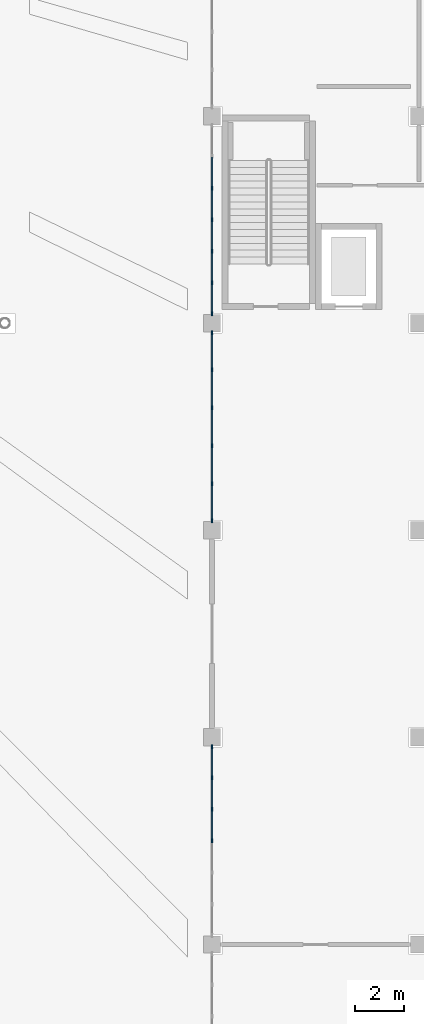
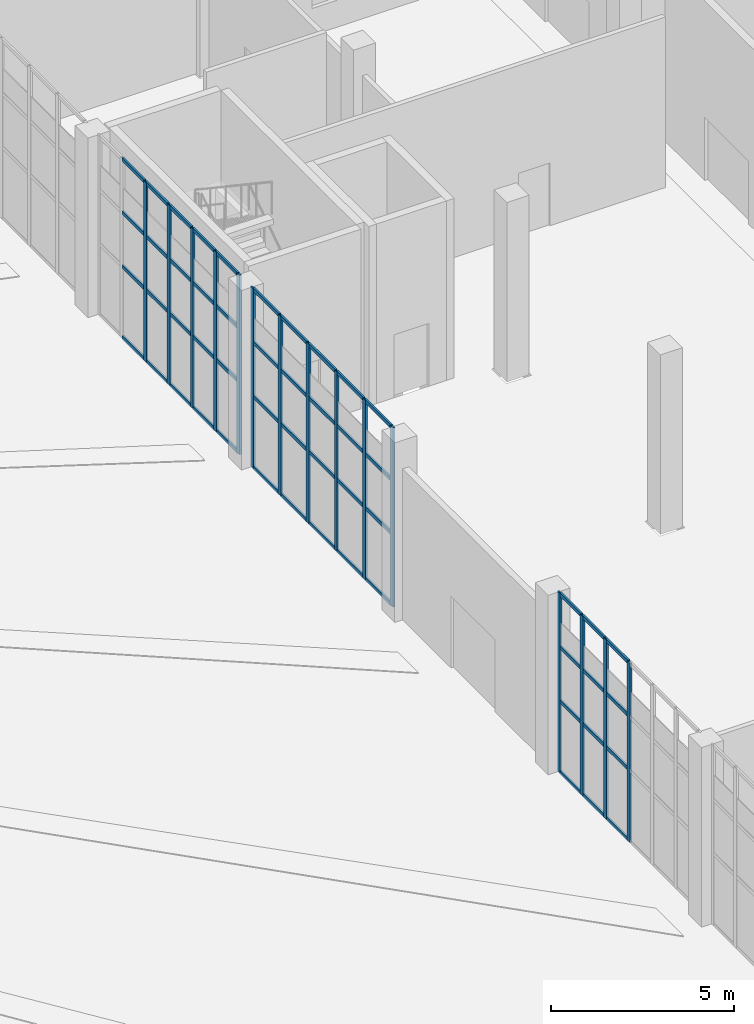
# One storey, part 45 of 210: 67 members, 3 elements without a shape of their own.
"""IFC4 building model written with IfcOpenShell, lengths in metres."""

from ifc_helpers import new_model, si_unit, direction, frame, origin, origin_2d, place, context, subcontext, project, spatial, rectangle, extrude, material, layer, layer_set, material_profile, profile_set, type_object, element, aggregate, save


model = new_model("IFC4")

# Units and contexts
model_context = context("Model", 3, precision=1e-05, world=origin(), true_north=direction((0.0, 1.0)))
body_context = subcontext(model_context, "Body", "Model", "MODEL_VIEW")
ifc_project = project(units=[si_unit("LENGTHUNIT", "METRE"), si_unit("AREAUNIT", "SQUARE_METRE"), si_unit("VOLUMEUNIT", "CUBIC_METRE"), si_unit("PLANEANGLEUNIT", "RADIAN"), si_unit("MASSUNIT", "GRAM", prefix="KILO")], contexts=[model_context])

# Site, building, storey
site_placement = place(None, origin())
site = spatial("IfcSite", under=ifc_project, at=site_placement, CompositionType="ELEMENT")
building_placement = place(site_placement, origin())
building = spatial("IfcBuilding", under=site, at=building_placement, Name="Rain Tree Exposition and Congress Centre", CompositionType="ELEMENT")
storey_placement = place(building_placement, origin())
storey = spatial("IfcBuildingStorey", under=building, at=storey_placement, Name="L00", CompositionType="ELEMENT", Elevation=0.0)

# Curtain wall, members
ifc_material_1 = material(Name="Aluminium", Category="aluminium")
ifc_layer = layer(ifc_material_1, 0.10009765625)
ifc_layer_set = layer_set([ifc_layer], Name="Aluminium")
curtain_wall_type = type_object("IfcCurtainWallType", Name="Curtain wall congress", PredefinedType="NOTDEFINED", material=ifc_layer_set)
curtain_wall_1_placement = place(storey_placement, origin())
curtain_wall_1 = element("IfcCurtainWall", 1, at=curtain_wall_1_placement, inside=storey, type_object=curtain_wall_type, Name="Foyer curtain wall L00 bay 3", PredefinedType="NOTDEFINED")
ifc_material_2 = material(Name="Aluminium", Category="aluminium")
ifc_material_profile_1 = material_profile(ifc_material_2, rectangle(XDim=0.06005859375, YDim=0.159912109375, at=origin_2d()), Name="AL 60x160")
ifc_profile_set_1 = profile_set([ifc_material_profile_1], Name="Aluminium")
member_type_1 = type_object("IfcMemberType", Name="Curtain wall mullion 60x160 congress", PredefinedType="MULLION", material=ifc_profile_set_1)
member_1_placement = place(storey_placement, frame((151.199951171875, 29.39990234375, 0.0), z_axis=(0.0, 0.0, 1.0), x_axis=(-1.0, 0.0, 0.0)))
member_1 = element("IfcMember", 2, at=member_1_placement, type_object=member_type_1, Name="CWG303 mullion 4", PredefinedType="MULLION", context=body_context, shape_type="SweptSolid", body=[
    extrude(rectangle(XDim=0.06005859375, YDim=0.159912109375, at=origin_2d()), origin(), (0.0, 0.0, 1.0), 6.0),
])
member_2_placement = place(storey_placement, frame((151.199951171875, 30.683349609375, 0.0), z_axis=(0.0, 0.0, 1.0), x_axis=(-1.0, 0.0, 0.0)))
member_2 = element("IfcMember", 3, at=member_2_placement, type_object=member_type_1, Name="CWG303 mullion 5", PredefinedType="MULLION", context=body_context, shape_type="SweptSolid", body=[
    extrude(rectangle(XDim=0.06005859375, YDim=0.159912109375, at=origin_2d()), origin(), (0.0, 0.0, 1.0), 6.0),
])
member_3_placement = place(storey_placement, frame((151.199951171875, 31.966552734375, 0.0), z_axis=(0.0, 0.0, 1.0), x_axis=(-1.0, 0.0, 0.0)))
member_3 = element("IfcMember", 4, at=member_3_placement, type_object=member_type_1, Name="CWG303 mullion 6", PredefinedType="MULLION", context=body_context, shape_type="SweptSolid", body=[
    extrude(rectangle(XDim=0.06005859375, YDim=0.159912109375, at=origin_2d()), origin(), (0.0, 0.0, 1.0), 6.0),
])
member_4_placement = place(storey_placement, frame((151.199951171875, 33.219970703125, 0.0), z_axis=(0.0, 0.0, 1.0), x_axis=(-1.0, 0.0, 0.0)))
member_4 = element("IfcMember", 5, at=member_4_placement, type_object=member_type_1, Name="CWG303 mullion 7", PredefinedType="MULLION", context=body_context, shape_type="SweptSolid", body=[
    extrude(rectangle(XDim=0.06005859375, YDim=0.159912109375, at=origin_2d()), origin(), (0.0, 0.0, 1.0), 6.0),
])

curtain_wall_2_placement = place(storey_placement, origin())
curtain_wall_2 = element("IfcCurtainWall", 6, at=curtain_wall_2_placement, inside=storey, type_object=curtain_wall_type, Name="Foyer curtain wall L00 bay 5", PredefinedType="NOTDEFINED")
member_5_placement = place(storey_placement, frame((151.199951171875, 42.3798828125, 0.0), z_axis=(0.0, 0.0, 1.0), x_axis=(-1.0, 0.0, 0.0)))
member_5 = element("IfcMember", 7, at=member_5_placement, type_object=member_type_1, Name="CWG305 mullion 1", PredefinedType="MULLION", context=body_context, shape_type="SweptSolid", body=[
    extrude(rectangle(XDim=0.06005859375, YDim=0.159912109375, at=origin_2d()), origin(), (0.0, 0.0, 1.0), 6.0),
])
member_6_placement = place(storey_placement, frame((151.199951171875, 43.889892578125, 0.0), z_axis=(0.0, 0.0, 1.0), x_axis=(-1.0, 0.0, 0.0)))
member_6 = element("IfcMember", 8, at=member_6_placement, type_object=member_type_1, Name="CWG305 mullion 2", PredefinedType="MULLION", context=body_context, shape_type="SweptSolid", body=[
    extrude(rectangle(XDim=0.06005859375, YDim=0.159912109375, at=origin_2d()), origin(), (0.0, 0.0, 1.0), 6.0),
])
member_7_placement = place(storey_placement, frame((151.199951171875, 45.429931640625, 0.0), z_axis=(0.0, 0.0, 1.0), x_axis=(-1.0, 0.0, 0.0)))
member_7 = element("IfcMember", 9, at=member_7_placement, type_object=member_type_1, Name="CWG305 mullion 3", PredefinedType="MULLION", context=body_context, shape_type="SweptSolid", body=[
    extrude(rectangle(XDim=0.06005859375, YDim=0.159912109375, at=origin_2d()), origin(), (0.0, 0.0, 1.0), 6.0),
])
member_8_placement = place(storey_placement, frame((151.199951171875, 46.969970703125, 0.0), z_axis=(0.0, 0.0, 1.0), x_axis=(-1.0, 0.0, 0.0)))
member_8 = element("IfcMember", 10, at=member_8_placement, type_object=member_type_1, Name="CWG305 mullion 4", PredefinedType="MULLION", context=body_context, shape_type="SweptSolid", body=[
    extrude(rectangle(XDim=0.06005859375, YDim=0.159912109375, at=origin_2d()), origin(), (0.0, 0.0, 1.0), 6.0),
])
member_9_placement = place(storey_placement, frame((151.199951171875, 48.510009765625, 0.0), z_axis=(0.0, 0.0, 1.0), x_axis=(-1.0, 0.0, 0.0)))
member_9 = element("IfcMember", 11, at=member_9_placement, type_object=member_type_1, Name="CWG305 mullion 5", PredefinedType="MULLION", context=body_context, shape_type="SweptSolid", body=[
    extrude(rectangle(XDim=0.06005859375, YDim=0.159912109375, at=origin_2d()), origin(), (0.0, 0.0, 1.0), 6.0),
])
member_10_placement = place(storey_placement, frame((151.199951171875, 50.02001953125, 0.0), z_axis=(0.0, 0.0, 1.0), x_axis=(-1.0, 0.0, 0.0)))
member_10 = element("IfcMember", 12, at=member_10_placement, type_object=member_type_1, Name="CWG305 mullion 6", PredefinedType="MULLION", context=body_context, shape_type="SweptSolid", body=[
    extrude(rectangle(XDim=0.06005859375, YDim=0.159912109375, at=origin_2d()), origin(), (0.0, 0.0, 1.0), 6.0),
])

curtain_wall_3_placement = place(storey_placement, origin())
curtain_wall_3 = element("IfcCurtainWall", 13, at=curtain_wall_3_placement, inside=storey, type_object=curtain_wall_type, Name="Foyer curtain wall L00 bay 6", PredefinedType="NOTDEFINED")
member_11_placement = place(storey_placement, frame((151.199951171875, 50.780029296875, 0.0), z_axis=(0.0, 0.0, 1.0), x_axis=(-1.0, 0.0, 0.0)))
member_11 = element("IfcMember", 14, at=member_11_placement, type_object=member_type_1, Name="CWG306 mullion 1", PredefinedType="MULLION", context=body_context, shape_type="SweptSolid", body=[
    extrude(rectangle(XDim=0.06005859375, YDim=0.159912109375, at=origin_2d()), origin(), (0.0, 0.0, 1.0), 6.0),
])
member_12_placement = place(storey_placement, frame((151.199951171875, 52.033447265625, 0.0), z_axis=(0.0, 0.0, 1.0), x_axis=(-1.0, 0.0, 0.0)))
member_12 = element("IfcMember", 15, at=member_12_placement, type_object=member_type_1, Name="CWG306 mullion 2", PredefinedType="MULLION", context=body_context, shape_type="SweptSolid", body=[
    extrude(rectangle(XDim=0.06005859375, YDim=0.159912109375, at=origin_2d()), origin(), (0.0, 0.0, 1.0), 6.0),
])
member_13_placement = place(storey_placement, frame((151.199951171875, 53.316650390625, 0.0), z_axis=(0.0, 0.0, 1.0), x_axis=(-1.0, 0.0, 0.0)))
member_13 = element("IfcMember", 16, at=member_13_placement, type_object=member_type_1, Name="CWG306 mullion 3", PredefinedType="MULLION", context=body_context, shape_type="SweptSolid", body=[
    extrude(rectangle(XDim=0.06005859375, YDim=0.159912109375, at=origin_2d()), origin(), (0.0, 0.0, 1.0), 6.0),
])
member_14_placement = place(storey_placement, frame((151.199951171875, 54.60009765625, 0.0), z_axis=(0.0, 0.0, 1.0), x_axis=(-1.0, 0.0, 0.0)))
member_14 = element("IfcMember", 17, at=member_14_placement, type_object=member_type_1, Name="CWG306 mullion 4", PredefinedType="MULLION", context=body_context, shape_type="SweptSolid", body=[
    extrude(rectangle(XDim=0.06005859375, YDim=0.159912109375, at=origin_2d()), origin(), (0.0, 0.0, 1.0), 6.0),
])
member_15_placement = place(storey_placement, frame((151.199951171875, 55.88330078125, 0.0), z_axis=(0.0, 0.0, 1.0), x_axis=(-1.0, 0.0, 0.0)))
member_15 = element("IfcMember", 18, at=member_15_placement, type_object=member_type_1, Name="CWG306 mullion 5", PredefinedType="MULLION", context=body_context, shape_type="SweptSolid", body=[
    extrude(rectangle(XDim=0.06005859375, YDim=0.159912109375, at=origin_2d()), origin(), (0.0, 0.0, 1.0), 6.0),
])

# Member
ifc_material_3 = material(Name="Aluminium", Category="aluminium")
ifc_material_profile_2 = material_profile(ifc_material_3, rectangle(XDim=0.06005859375, YDim=0.1201171875, at=origin_2d()), Name="AL 60x120")
ifc_profile_set_2 = profile_set([ifc_material_profile_2], Name="Aluminium")
member_type_2 = type_object("IfcMemberType", Name="Curtain wall transom 60x120 congress", PredefinedType="USERDEFINED", material=ifc_profile_set_2)
member_16_placement = place(storey_placement, frame((151.199951171875, 29.429931640625, 0.030029296875), z_axis=(0.0, 1.0, 0.0), x_axis=(-1.0, 0.0, 0.0)))
member_16 = element("IfcMember", 19, at=member_16_placement, type_object=member_type_2, Name="CWG303 transom 4.1", ObjectType="TRANSOM", PredefinedType="USERDEFINED", context=body_context, shape_type="SweptSolid", body=[
    extrude(rectangle(XDim=0.06005859375, YDim=0.1201171875, at=origin_2d()), origin(), (0.0, 0.0, 1.0), 1.223388671875),
])

member_17_placement = place(storey_placement, frame((151.199951171875, 29.429931640625, 2.39990234375), z_axis=(0.0, 1.0, 0.0), x_axis=(-1.0, 0.0, 0.0)))
member_17 = element("IfcMember", 20, at=member_17_placement, type_object=member_type_2, Name="CWG303 transom 4.2", ObjectType="TRANSOM", PredefinedType="USERDEFINED", context=body_context, shape_type="SweptSolid", body=[
    extrude(rectangle(XDim=0.06005859375, YDim=0.1201171875, at=origin_2d()), origin(), (0.0, 0.0, 1.0), 1.223388671875),
])

member_18_placement = place(storey_placement, frame((151.199951171875, 29.429931640625, 4.199951171875), z_axis=(0.0, 1.0, 0.0), x_axis=(-1.0, 0.0, 0.0)))
member_18 = element("IfcMember", 21, at=member_18_placement, type_object=member_type_2, Name="CWG303 transom 4.3", ObjectType="TRANSOM", PredefinedType="USERDEFINED", context=body_context, shape_type="SweptSolid", body=[
    extrude(rectangle(XDim=0.06005859375, YDim=0.1201171875, at=origin_2d()), origin(), (0.0, 0.0, 1.0), 1.223388671875),
])

member_19_placement = place(storey_placement, frame((151.199951171875, 29.429931640625, 5.969970703125), z_axis=(0.0, 1.0, 0.0), x_axis=(-1.0, 0.0, 0.0)))
member_19 = element("IfcMember", 22, at=member_19_placement, type_object=member_type_2, Name="CWG303 transom 4.4", ObjectType="TRANSOM", PredefinedType="USERDEFINED", context=body_context, shape_type="SweptSolid", body=[
    extrude(rectangle(XDim=0.06005859375, YDim=0.1201171875, at=origin_2d()), origin(), (0.0, 0.0, 1.0), 1.223388671875),
])

member_20_placement = place(storey_placement, frame((151.199951171875, 30.71337890625, 0.030029296875), z_axis=(0.0, 1.0, 0.0), x_axis=(-1.0, 0.0, 0.0)))
member_20 = element("IfcMember", 23, at=member_20_placement, type_object=member_type_2, Name="CWG303 transom 5.1", ObjectType="TRANSOM", PredefinedType="USERDEFINED", context=body_context, shape_type="SweptSolid", body=[
    extrude(rectangle(XDim=0.06005859375, YDim=0.1201171875, at=origin_2d()), origin(), (0.0, 0.0, 1.0), 1.223388671875),
])

member_21_placement = place(storey_placement, frame((151.199951171875, 30.71337890625, 2.39990234375), z_axis=(0.0, 1.0, 0.0), x_axis=(-1.0, 0.0, 0.0)))
member_21 = element("IfcMember", 24, at=member_21_placement, type_object=member_type_2, Name="CWG303 transom 5.2", ObjectType="TRANSOM", PredefinedType="USERDEFINED", context=body_context, shape_type="SweptSolid", body=[
    extrude(rectangle(XDim=0.06005859375, YDim=0.1201171875, at=origin_2d()), origin(), (0.0, 0.0, 1.0), 1.223388671875),
])

member_22_placement = place(storey_placement, frame((151.199951171875, 30.71337890625, 4.199951171875), z_axis=(0.0, 1.0, 0.0), x_axis=(-1.0, 0.0, 0.0)))
member_22 = element("IfcMember", 25, at=member_22_placement, type_object=member_type_2, Name="CWG303 transom 5.3", ObjectType="TRANSOM", PredefinedType="USERDEFINED", context=body_context, shape_type="SweptSolid", body=[
    extrude(rectangle(XDim=0.06005859375, YDim=0.1201171875, at=origin_2d()), origin(), (0.0, 0.0, 1.0), 1.223388671875),
])

member_23_placement = place(storey_placement, frame((151.199951171875, 30.71337890625, 5.969970703125), z_axis=(0.0, 1.0, 0.0), x_axis=(-1.0, 0.0, 0.0)))
member_23 = element("IfcMember", 26, at=member_23_placement, type_object=member_type_2, Name="CWG303 transom 5.4", ObjectType="TRANSOM", PredefinedType="USERDEFINED", context=body_context, shape_type="SweptSolid", body=[
    extrude(rectangle(XDim=0.06005859375, YDim=0.1201171875, at=origin_2d()), origin(), (0.0, 0.0, 1.0), 1.223388671875),
])

member_24_placement = place(storey_placement, frame((151.199951171875, 31.99658203125, 0.030029296875), z_axis=(0.0, 1.0, 0.0), x_axis=(-1.0, 0.0, 0.0)))
member_24 = element("IfcMember", 27, at=member_24_placement, type_object=member_type_2, Name="CWG303 transom 6.1", ObjectType="TRANSOM", PredefinedType="USERDEFINED", context=body_context, shape_type="SweptSolid", body=[
    extrude(rectangle(XDim=0.06005859375, YDim=0.1201171875, at=origin_2d()), origin(), (0.0, 0.0, 1.0), 1.193359375),
])

member_25_placement = place(storey_placement, frame((151.199951171875, 31.99658203125, 2.39990234375), z_axis=(0.0, 1.0, 0.0), x_axis=(-1.0, 0.0, 0.0)))
member_25 = element("IfcMember", 28, at=member_25_placement, type_object=member_type_2, Name="CWG303 transom 6.2", ObjectType="TRANSOM", PredefinedType="USERDEFINED", context=body_context, shape_type="SweptSolid", body=[
    extrude(rectangle(XDim=0.06005859375, YDim=0.1201171875, at=origin_2d()), origin(), (0.0, 0.0, 1.0), 1.193359375),
])

member_26_placement = place(storey_placement, frame((151.199951171875, 31.99658203125, 4.199951171875), z_axis=(0.0, 1.0, 0.0), x_axis=(-1.0, 0.0, 0.0)))
member_26 = element("IfcMember", 29, at=member_26_placement, type_object=member_type_2, Name="CWG303 transom 6.3", ObjectType="TRANSOM", PredefinedType="USERDEFINED", context=body_context, shape_type="SweptSolid", body=[
    extrude(rectangle(XDim=0.06005859375, YDim=0.1201171875, at=origin_2d()), origin(), (0.0, 0.0, 1.0), 1.193359375),
])

member_27_placement = place(storey_placement, frame((151.199951171875, 31.99658203125, 5.969970703125), z_axis=(0.0, 1.0, 0.0), x_axis=(-1.0, 0.0, 0.0)))
member_27 = element("IfcMember", 30, at=member_27_placement, type_object=member_type_2, Name="CWG303 transom 6.4", ObjectType="TRANSOM", PredefinedType="USERDEFINED", context=body_context, shape_type="SweptSolid", body=[
    extrude(rectangle(XDim=0.06005859375, YDim=0.1201171875, at=origin_2d()), origin(), (0.0, 0.0, 1.0), 1.193359375),
])

aggregate(curtain_wall_1, [member_1, member_2, member_3, member_4, member_16, member_17, member_18, member_19, member_20, member_21, member_22, member_23, member_24, member_25, member_26, member_27])

member_28_placement = place(storey_placement, frame((151.199951171875, 42.409912109375, 0.030029296875), z_axis=(0.0, 1.0, 0.0), x_axis=(-1.0, 0.0, 0.0)))
member_28 = element("IfcMember", 31, at=member_28_placement, type_object=member_type_2, Name="CWG305 transom 1.1", ObjectType="TRANSOM", PredefinedType="USERDEFINED", context=body_context, shape_type="SweptSolid", body=[
    extrude(rectangle(XDim=0.06005859375, YDim=0.1201171875, at=origin_2d()), origin(), (0.0, 0.0, 1.0), 1.4501953125),
])

member_29_placement = place(storey_placement, frame((151.199951171875, 42.409912109375, 2.39990234375), z_axis=(0.0, 1.0, 0.0), x_axis=(-1.0, 0.0, 0.0)))
member_29 = element("IfcMember", 32, at=member_29_placement, type_object=member_type_2, Name="CWG305 transom 1.2", ObjectType="TRANSOM", PredefinedType="USERDEFINED", context=body_context, shape_type="SweptSolid", body=[
    extrude(rectangle(XDim=0.06005859375, YDim=0.1201171875, at=origin_2d()), origin(), (0.0, 0.0, 1.0), 1.4501953125),
])

member_30_placement = place(storey_placement, frame((151.199951171875, 42.409912109375, 4.199951171875), z_axis=(0.0, 1.0, 0.0), x_axis=(-1.0, 0.0, 0.0)))
member_30 = element("IfcMember", 33, at=member_30_placement, type_object=member_type_2, Name="CWG305 transom 1.3", ObjectType="TRANSOM", PredefinedType="USERDEFINED", context=body_context, shape_type="SweptSolid", body=[
    extrude(rectangle(XDim=0.06005859375, YDim=0.1201171875, at=origin_2d()), origin(), (0.0, 0.0, 1.0), 1.4501953125),
])

member_31_placement = place(storey_placement, frame((151.199951171875, 42.409912109375, 5.969970703125), z_axis=(0.0, 1.0, 0.0), x_axis=(-1.0, 0.0, 0.0)))
member_31 = element("IfcMember", 34, at=member_31_placement, type_object=member_type_2, Name="CWG305 transom 1.4", ObjectType="TRANSOM", PredefinedType="USERDEFINED", context=body_context, shape_type="SweptSolid", body=[
    extrude(rectangle(XDim=0.06005859375, YDim=0.1201171875, at=origin_2d()), origin(), (0.0, 0.0, 1.0), 1.4501953125),
])

member_32_placement = place(storey_placement, frame((151.199951171875, 43.919921875, 0.030029296875), z_axis=(0.0, 1.0, 0.0), x_axis=(-1.0, 0.0, 0.0)))
member_32 = element("IfcMember", 35, at=member_32_placement, type_object=member_type_2, Name="CWG305 transom 2.1", ObjectType="TRANSOM", PredefinedType="USERDEFINED", context=body_context, shape_type="SweptSolid", body=[
    extrude(rectangle(XDim=0.06005859375, YDim=0.1201171875, at=origin_2d()), origin(), (0.0, 0.0, 1.0), 1.47998046875),
])

member_33_placement = place(storey_placement, frame((151.199951171875, 43.919921875, 2.39990234375), z_axis=(0.0, 1.0, 0.0), x_axis=(-1.0, 0.0, 0.0)))
member_33 = element("IfcMember", 36, at=member_33_placement, type_object=member_type_2, Name="CWG305 transom 2.2", ObjectType="TRANSOM", PredefinedType="USERDEFINED", context=body_context, shape_type="SweptSolid", body=[
    extrude(rectangle(XDim=0.06005859375, YDim=0.1201171875, at=origin_2d()), origin(), (0.0, 0.0, 1.0), 1.47998046875),
])

member_34_placement = place(storey_placement, frame((151.199951171875, 43.919921875, 4.199951171875), z_axis=(0.0, 1.0, 0.0), x_axis=(-1.0, 0.0, 0.0)))
member_34 = element("IfcMember", 37, at=member_34_placement, type_object=member_type_2, Name="CWG305 transom 2.3", ObjectType="TRANSOM", PredefinedType="USERDEFINED", context=body_context, shape_type="SweptSolid", body=[
    extrude(rectangle(XDim=0.06005859375, YDim=0.1201171875, at=origin_2d()), origin(), (0.0, 0.0, 1.0), 1.47998046875),
])

member_35_placement = place(storey_placement, frame((151.199951171875, 43.919921875, 5.969970703125), z_axis=(0.0, 1.0, 0.0), x_axis=(-1.0, 0.0, 0.0)))
member_35 = element("IfcMember", 38, at=member_35_placement, type_object=member_type_2, Name="CWG305 transom 2.4", ObjectType="TRANSOM", PredefinedType="USERDEFINED", context=body_context, shape_type="SweptSolid", body=[
    extrude(rectangle(XDim=0.06005859375, YDim=0.1201171875, at=origin_2d()), origin(), (0.0, 0.0, 1.0), 1.47998046875),
])

member_36_placement = place(storey_placement, frame((151.199951171875, 45.4599609375, 0.030029296875), z_axis=(0.0, 1.0, 0.0), x_axis=(-1.0, 0.0, 0.0)))
member_36 = element("IfcMember", 39, at=member_36_placement, type_object=member_type_2, Name="CWG305 transom 3.1", ObjectType="TRANSOM", PredefinedType="USERDEFINED", context=body_context, shape_type="SweptSolid", body=[
    extrude(rectangle(XDim=0.06005859375, YDim=0.1201171875, at=origin_2d()), origin(), (0.0, 0.0, 1.0), 1.47998046875),
])

member_37_placement = place(storey_placement, frame((151.199951171875, 45.4599609375, 2.39990234375), z_axis=(0.0, 1.0, 0.0), x_axis=(-1.0, 0.0, 0.0)))
member_37 = element("IfcMember", 40, at=member_37_placement, type_object=member_type_2, Name="CWG305 transom 3.2", ObjectType="TRANSOM", PredefinedType="USERDEFINED", context=body_context, shape_type="SweptSolid", body=[
    extrude(rectangle(XDim=0.06005859375, YDim=0.1201171875, at=origin_2d()), origin(), (0.0, 0.0, 1.0), 1.47998046875),
])

member_38_placement = place(storey_placement, frame((151.199951171875, 45.4599609375, 4.199951171875), z_axis=(0.0, 1.0, 0.0), x_axis=(-1.0, 0.0, 0.0)))
member_38 = element("IfcMember", 41, at=member_38_placement, type_object=member_type_2, Name="CWG305 transom 3.3", ObjectType="TRANSOM", PredefinedType="USERDEFINED", context=body_context, shape_type="SweptSolid", body=[
    extrude(rectangle(XDim=0.06005859375, YDim=0.1201171875, at=origin_2d()), origin(), (0.0, 0.0, 1.0), 1.47998046875),
])

member_39_placement = place(storey_placement, frame((151.199951171875, 45.4599609375, 5.969970703125), z_axis=(0.0, 1.0, 0.0), x_axis=(-1.0, 0.0, 0.0)))
member_39 = element("IfcMember", 42, at=member_39_placement, type_object=member_type_2, Name="CWG305 transom 3.4", ObjectType="TRANSOM", PredefinedType="USERDEFINED", context=body_context, shape_type="SweptSolid", body=[
    extrude(rectangle(XDim=0.06005859375, YDim=0.1201171875, at=origin_2d()), origin(), (0.0, 0.0, 1.0), 1.47998046875),
])

member_40_placement = place(storey_placement, frame((151.199951171875, 47.0, 0.030029296875), z_axis=(0.0, 1.0, 0.0), x_axis=(-1.0, 0.0, 0.0)))
member_40 = element("IfcMember", 43, at=member_40_placement, type_object=member_type_2, Name="CWG305 transom 4.1", ObjectType="TRANSOM", PredefinedType="USERDEFINED", context=body_context, shape_type="SweptSolid", body=[
    extrude(rectangle(XDim=0.06005859375, YDim=0.1201171875, at=origin_2d()), origin(), (0.0, 0.0, 1.0), 1.47998046875),
])

member_41_placement = place(storey_placement, frame((151.199951171875, 47.0, 2.39990234375), z_axis=(0.0, 1.0, 0.0), x_axis=(-1.0, 0.0, 0.0)))
member_41 = element("IfcMember", 44, at=member_41_placement, type_object=member_type_2, Name="CWG305 transom 4.2", ObjectType="TRANSOM", PredefinedType="USERDEFINED", context=body_context, shape_type="SweptSolid", body=[
    extrude(rectangle(XDim=0.06005859375, YDim=0.1201171875, at=origin_2d()), origin(), (0.0, 0.0, 1.0), 1.47998046875),
])

member_42_placement = place(storey_placement, frame((151.199951171875, 47.0, 4.199951171875), z_axis=(0.0, 1.0, 0.0), x_axis=(-1.0, 0.0, 0.0)))
member_42 = element("IfcMember", 45, at=member_42_placement, type_object=member_type_2, Name="CWG305 transom 4.3", ObjectType="TRANSOM", PredefinedType="USERDEFINED", context=body_context, shape_type="SweptSolid", body=[
    extrude(rectangle(XDim=0.06005859375, YDim=0.1201171875, at=origin_2d()), origin(), (0.0, 0.0, 1.0), 1.47998046875),
])

member_43_placement = place(storey_placement, frame((151.199951171875, 47.0, 5.969970703125), z_axis=(0.0, 1.0, 0.0), x_axis=(-1.0, 0.0, 0.0)))
member_43 = element("IfcMember", 46, at=member_43_placement, type_object=member_type_2, Name="CWG305 transom 4.4", ObjectType="TRANSOM", PredefinedType="USERDEFINED", context=body_context, shape_type="SweptSolid", body=[
    extrude(rectangle(XDim=0.06005859375, YDim=0.1201171875, at=origin_2d()), origin(), (0.0, 0.0, 1.0), 1.47998046875),
])

member_44_placement = place(storey_placement, frame((151.199951171875, 48.5400390625, 0.030029296875), z_axis=(0.0, 1.0, 0.0), x_axis=(-1.0, 0.0, 0.0)))
member_44 = element("IfcMember", 47, at=member_44_placement, type_object=member_type_2, Name="CWG305 transom 5.1", ObjectType="TRANSOM", PredefinedType="USERDEFINED", context=body_context, shape_type="SweptSolid", body=[
    extrude(rectangle(XDim=0.06005859375, YDim=0.1201171875, at=origin_2d()), origin(), (0.0, 0.0, 1.0), 1.449951171875),
])

member_45_placement = place(storey_placement, frame((151.199951171875, 48.5400390625, 2.39990234375), z_axis=(0.0, 1.0, 0.0), x_axis=(-1.0, 0.0, 0.0)))
member_45 = element("IfcMember", 48, at=member_45_placement, type_object=member_type_2, Name="CWG305 transom 5.2", ObjectType="TRANSOM", PredefinedType="USERDEFINED", context=body_context, shape_type="SweptSolid", body=[
    extrude(rectangle(XDim=0.06005859375, YDim=0.1201171875, at=origin_2d()), origin(), (0.0, 0.0, 1.0), 1.449951171875),
])

member_46_placement = place(storey_placement, frame((151.199951171875, 48.5400390625, 4.199951171875), z_axis=(0.0, 1.0, 0.0), x_axis=(-1.0, 0.0, 0.0)))
member_46 = element("IfcMember", 49, at=member_46_placement, type_object=member_type_2, Name="CWG305 transom 5.3", ObjectType="TRANSOM", PredefinedType="USERDEFINED", context=body_context, shape_type="SweptSolid", body=[
    extrude(rectangle(XDim=0.06005859375, YDim=0.1201171875, at=origin_2d()), origin(), (0.0, 0.0, 1.0), 1.449951171875),
])

member_47_placement = place(storey_placement, frame((151.199951171875, 48.5400390625, 5.969970703125), z_axis=(0.0, 1.0, 0.0), x_axis=(-1.0, 0.0, 0.0)))
member_47 = element("IfcMember", 50, at=member_47_placement, type_object=member_type_2, Name="CWG305 transom 5.4", ObjectType="TRANSOM", PredefinedType="USERDEFINED", context=body_context, shape_type="SweptSolid", body=[
    extrude(rectangle(XDim=0.06005859375, YDim=0.1201171875, at=origin_2d()), origin(), (0.0, 0.0, 1.0), 1.449951171875),
])

aggregate(curtain_wall_2, [member_5, member_6, member_7, member_8, member_9, member_10, member_28, member_29, member_30, member_31, member_32, member_33, member_34, member_35, member_36, member_37, member_38, member_39, member_40, member_41, member_42, member_43, member_44, member_45, member_46, member_47])

member_48_placement = place(storey_placement, frame((151.199951171875, 50.81005859375, 0.030029296875), z_axis=(0.0, 1.0, 0.0), x_axis=(-1.0, 0.0, 0.0)))
member_48 = element("IfcMember", 51, at=member_48_placement, type_object=member_type_2, Name="CWG306 transom 1.1", ObjectType="TRANSOM", PredefinedType="USERDEFINED", context=body_context, shape_type="SweptSolid", body=[
    extrude(rectangle(XDim=0.06005859375, YDim=0.1201171875, at=origin_2d()), origin(), (0.0, 0.0, 1.0), 1.193359375),
])

member_49_placement = place(storey_placement, frame((151.199951171875, 50.81005859375, 2.39990234375), z_axis=(0.0, 1.0, 0.0), x_axis=(-1.0, 0.0, 0.0)))
member_49 = element("IfcMember", 52, at=member_49_placement, type_object=member_type_2, Name="CWG306 transom 1.2", ObjectType="TRANSOM", PredefinedType="USERDEFINED", context=body_context, shape_type="SweptSolid", body=[
    extrude(rectangle(XDim=0.06005859375, YDim=0.1201171875, at=origin_2d()), origin(), (0.0, 0.0, 1.0), 1.193359375),
])

member_50_placement = place(storey_placement, frame((151.199951171875, 50.81005859375, 4.199951171875), z_axis=(0.0, 1.0, 0.0), x_axis=(-1.0, 0.0, 0.0)))
member_50 = element("IfcMember", 53, at=member_50_placement, type_object=member_type_2, Name="CWG306 transom 1.3", ObjectType="TRANSOM", PredefinedType="USERDEFINED", context=body_context, shape_type="SweptSolid", body=[
    extrude(rectangle(XDim=0.06005859375, YDim=0.1201171875, at=origin_2d()), origin(), (0.0, 0.0, 1.0), 1.193359375),
])

member_51_placement = place(storey_placement, frame((151.199951171875, 50.81005859375, 5.969970703125), z_axis=(0.0, 1.0, 0.0), x_axis=(-1.0, 0.0, 0.0)))
member_51 = element("IfcMember", 54, at=member_51_placement, type_object=member_type_2, Name="CWG306 transom 1.4", ObjectType="TRANSOM", PredefinedType="USERDEFINED", context=body_context, shape_type="SweptSolid", body=[
    extrude(rectangle(XDim=0.06005859375, YDim=0.1201171875, at=origin_2d()), origin(), (0.0, 0.0, 1.0), 1.193359375),
])

member_52_placement = place(storey_placement, frame((151.199951171875, 52.063232421875, 0.030029296875), z_axis=(0.0, 1.0, 0.0), x_axis=(-1.0, 0.0, 0.0)))
member_52 = element("IfcMember", 55, at=member_52_placement, type_object=member_type_2, Name="CWG306 transom 2.1", ObjectType="TRANSOM", PredefinedType="USERDEFINED", context=body_context, shape_type="SweptSolid", body=[
    extrude(rectangle(XDim=0.06005859375, YDim=0.1201171875, at=origin_2d()), origin(), (0.0, 0.0, 1.0), 1.223388671875),
])

member_53_placement = place(storey_placement, frame((151.199951171875, 52.063232421875, 2.39990234375), z_axis=(0.0, 1.0, 0.0), x_axis=(-1.0, 0.0, 0.0)))
member_53 = element("IfcMember", 56, at=member_53_placement, type_object=member_type_2, Name="CWG306 transom 2.2", ObjectType="TRANSOM", PredefinedType="USERDEFINED", context=body_context, shape_type="SweptSolid", body=[
    extrude(rectangle(XDim=0.06005859375, YDim=0.1201171875, at=origin_2d()), origin(), (0.0, 0.0, 1.0), 1.223388671875),
])

member_54_placement = place(storey_placement, frame((151.199951171875, 52.063232421875, 4.199951171875), z_axis=(0.0, 1.0, 0.0), x_axis=(-1.0, 0.0, 0.0)))
member_54 = element("IfcMember", 57, at=member_54_placement, type_object=member_type_2, Name="CWG306 transom 2.3", ObjectType="TRANSOM", PredefinedType="USERDEFINED", context=body_context, shape_type="SweptSolid", body=[
    extrude(rectangle(XDim=0.06005859375, YDim=0.1201171875, at=origin_2d()), origin(), (0.0, 0.0, 1.0), 1.223388671875),
])

member_55_placement = place(storey_placement, frame((151.199951171875, 52.063232421875, 5.969970703125), z_axis=(0.0, 1.0, 0.0), x_axis=(-1.0, 0.0, 0.0)))
member_55 = element("IfcMember", 58, at=member_55_placement, type_object=member_type_2, Name="CWG306 transom 2.4", ObjectType="TRANSOM", PredefinedType="USERDEFINED", context=body_context, shape_type="SweptSolid", body=[
    extrude(rectangle(XDim=0.06005859375, YDim=0.1201171875, at=origin_2d()), origin(), (0.0, 0.0, 1.0), 1.223388671875),
])

member_56_placement = place(storey_placement, frame((151.199951171875, 53.3466796875, 0.030029296875), z_axis=(0.0, 1.0, 0.0), x_axis=(-1.0, 0.0, 0.0)))
member_56 = element("IfcMember", 59, at=member_56_placement, type_object=member_type_2, Name="CWG306 transom 3.1", ObjectType="TRANSOM", PredefinedType="USERDEFINED", context=body_context, shape_type="SweptSolid", body=[
    extrude(rectangle(XDim=0.06005859375, YDim=0.1201171875, at=origin_2d()), origin(), (0.0, 0.0, 1.0), 1.223388671875),
])

member_57_placement = place(storey_placement, frame((151.199951171875, 53.3466796875, 2.39990234375), z_axis=(0.0, 1.0, 0.0), x_axis=(-1.0, 0.0, 0.0)))
member_57 = element("IfcMember", 60, at=member_57_placement, type_object=member_type_2, Name="CWG306 transom 3.2", ObjectType="TRANSOM", PredefinedType="USERDEFINED", context=body_context, shape_type="SweptSolid", body=[
    extrude(rectangle(XDim=0.06005859375, YDim=0.1201171875, at=origin_2d()), origin(), (0.0, 0.0, 1.0), 1.223388671875),
])

member_58_placement = place(storey_placement, frame((151.199951171875, 53.3466796875, 4.199951171875), z_axis=(0.0, 1.0, 0.0), x_axis=(-1.0, 0.0, 0.0)))
member_58 = element("IfcMember", 61, at=member_58_placement, type_object=member_type_2, Name="CWG306 transom 3.3", ObjectType="TRANSOM", PredefinedType="USERDEFINED", context=body_context, shape_type="SweptSolid", body=[
    extrude(rectangle(XDim=0.06005859375, YDim=0.1201171875, at=origin_2d()), origin(), (0.0, 0.0, 1.0), 1.223388671875),
])

member_59_placement = place(storey_placement, frame((151.199951171875, 53.3466796875, 5.969970703125), z_axis=(0.0, 1.0, 0.0), x_axis=(-1.0, 0.0, 0.0)))
member_59 = element("IfcMember", 62, at=member_59_placement, type_object=member_type_2, Name="CWG306 transom 3.4", ObjectType="TRANSOM", PredefinedType="USERDEFINED", context=body_context, shape_type="SweptSolid", body=[
    extrude(rectangle(XDim=0.06005859375, YDim=0.1201171875, at=origin_2d()), origin(), (0.0, 0.0, 1.0), 1.223388671875),
])

member_60_placement = place(storey_placement, frame((151.199951171875, 54.6298828125, 0.030029296875), z_axis=(0.0, 1.0, 0.0), x_axis=(-1.0, 0.0, 0.0)))
member_60 = element("IfcMember", 63, at=member_60_placement, type_object=member_type_2, Name="CWG306 transom 4.1", ObjectType="TRANSOM", PredefinedType="USERDEFINED", context=body_context, shape_type="SweptSolid", body=[
    extrude(rectangle(XDim=0.06005859375, YDim=0.1201171875, at=origin_2d()), origin(), (0.0, 0.0, 1.0), 1.223388671875),
])

member_61_placement = place(storey_placement, frame((151.199951171875, 54.6298828125, 2.39990234375), z_axis=(0.0, 1.0, 0.0), x_axis=(-1.0, 0.0, 0.0)))
member_61 = element("IfcMember", 64, at=member_61_placement, type_object=member_type_2, Name="CWG306 transom 4.2", ObjectType="TRANSOM", PredefinedType="USERDEFINED", context=body_context, shape_type="SweptSolid", body=[
    extrude(rectangle(XDim=0.06005859375, YDim=0.1201171875, at=origin_2d()), origin(), (0.0, 0.0, 1.0), 1.223388671875),
])

member_62_placement = place(storey_placement, frame((151.199951171875, 54.6298828125, 4.199951171875), z_axis=(0.0, 1.0, 0.0), x_axis=(-1.0, 0.0, 0.0)))
member_62 = element("IfcMember", 65, at=member_62_placement, type_object=member_type_2, Name="CWG306 transom 4.3", ObjectType="TRANSOM", PredefinedType="USERDEFINED", context=body_context, shape_type="SweptSolid", body=[
    extrude(rectangle(XDim=0.06005859375, YDim=0.1201171875, at=origin_2d()), origin(), (0.0, 0.0, 1.0), 1.223388671875),
])

member_63_placement = place(storey_placement, frame((151.199951171875, 54.6298828125, 5.969970703125), z_axis=(0.0, 1.0, 0.0), x_axis=(-1.0, 0.0, 0.0)))
member_63 = element("IfcMember", 66, at=member_63_placement, type_object=member_type_2, Name="CWG306 transom 4.4", ObjectType="TRANSOM", PredefinedType="USERDEFINED", context=body_context, shape_type="SweptSolid", body=[
    extrude(rectangle(XDim=0.06005859375, YDim=0.1201171875, at=origin_2d()), origin(), (0.0, 0.0, 1.0), 1.223388671875),
])

member_64_placement = place(storey_placement, frame((151.199951171875, 55.913330078125, 0.030029296875), z_axis=(0.0, 1.0, 0.0), x_axis=(-1.0, 0.0, 0.0)))
member_64 = element("IfcMember", 67, at=member_64_placement, type_object=member_type_2, Name="CWG306 transom 5.1", ObjectType="TRANSOM", PredefinedType="USERDEFINED", context=body_context, shape_type="SweptSolid", body=[
    extrude(rectangle(XDim=0.06005859375, YDim=0.1201171875, at=origin_2d()), origin(), (0.0, 0.0, 1.0), 1.223388671875),
])

member_65_placement = place(storey_placement, frame((151.199951171875, 55.913330078125, 2.39990234375), z_axis=(0.0, 1.0, 0.0), x_axis=(-1.0, 0.0, 0.0)))
member_65 = element("IfcMember", 68, at=member_65_placement, type_object=member_type_2, Name="CWG306 transom 5.2", ObjectType="TRANSOM", PredefinedType="USERDEFINED", context=body_context, shape_type="SweptSolid", body=[
    extrude(rectangle(XDim=0.06005859375, YDim=0.1201171875, at=origin_2d()), origin(), (0.0, 0.0, 1.0), 1.223388671875),
])

member_66_placement = place(storey_placement, frame((151.199951171875, 55.913330078125, 4.199951171875), z_axis=(0.0, 1.0, 0.0), x_axis=(-1.0, 0.0, 0.0)))
member_66 = element("IfcMember", 69, at=member_66_placement, type_object=member_type_2, Name="CWG306 transom 5.3", ObjectType="TRANSOM", PredefinedType="USERDEFINED", context=body_context, shape_type="SweptSolid", body=[
    extrude(rectangle(XDim=0.06005859375, YDim=0.1201171875, at=origin_2d()), origin(), (0.0, 0.0, 1.0), 1.223388671875),
])

member_67_placement = place(storey_placement, frame((151.199951171875, 55.913330078125, 5.969970703125), z_axis=(0.0, 1.0, 0.0), x_axis=(-1.0, 0.0, 0.0)))
member_67 = element("IfcMember", 70, at=member_67_placement, type_object=member_type_2, Name="CWG306 transom 5.4", ObjectType="TRANSOM", PredefinedType="USERDEFINED", context=body_context, shape_type="SweptSolid", body=[
    extrude(rectangle(XDim=0.06005859375, YDim=0.1201171875, at=origin_2d()), origin(), (0.0, 0.0, 1.0), 1.223388671875),
])

aggregate(curtain_wall_3, [member_11, member_12, member_13, member_14, member_15, member_48, member_49, member_50, member_51, member_52, member_53, member_54, member_55, member_56, member_57, member_58, member_59, member_60, member_61, member_62, member_63, member_64, member_65, member_66, member_67])

save(model, "model.ifc")
